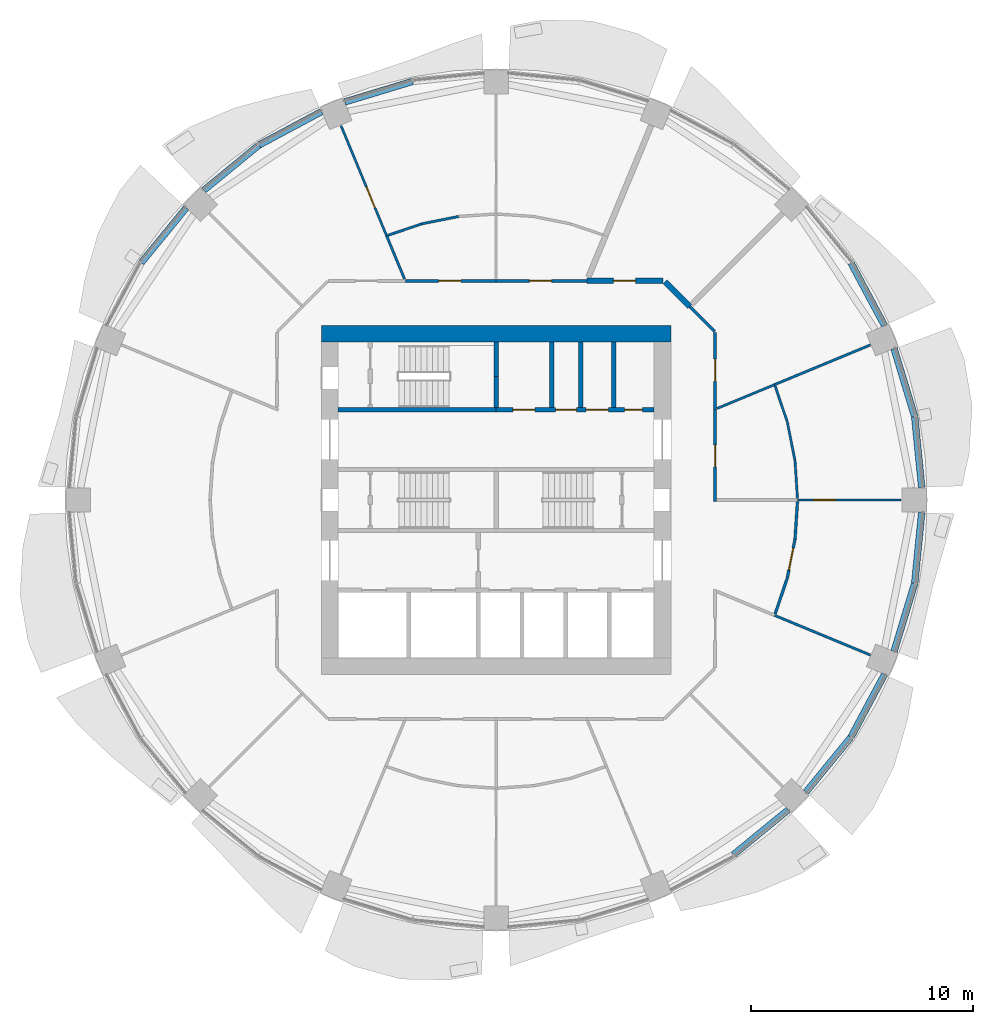
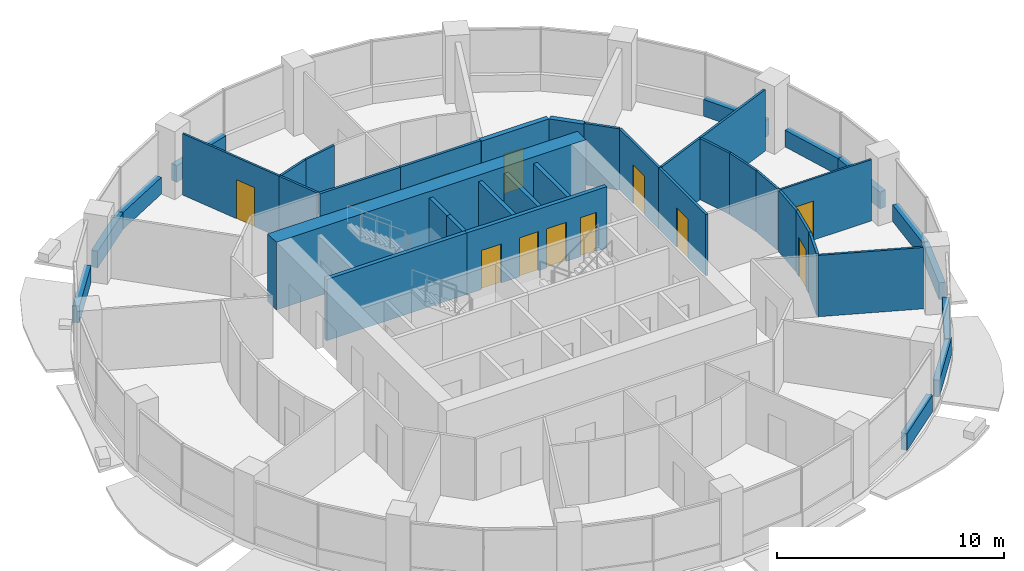
# One storey, part 10 of 15: 41 walls, 12 doors, 12 openings.
"""IFC4 building model written with IfcOpenShell, lengths in metres."""

from ifc_helpers import new_model, si_unit, direction, frame, frame_2d, origin, place, context, subcontext, project, spatial, rectangle, extrude, material, layer, layer_set, type_object, element, fill, save


model = new_model("IFC4")

# Units and contexts
model_context = context("Model", 3, precision=1e-05, world=origin(), true_north=direction((0.0, 1.0)))
body_context = subcontext(model_context, "Body", "Model", "MODEL_VIEW")
ifc_project = project(units=[si_unit("LENGTHUNIT", "METRE"), si_unit("AREAUNIT", "SQUARE_METRE"), si_unit("VOLUMEUNIT", "CUBIC_METRE"), si_unit("PLANEANGLEUNIT", "RADIAN"), si_unit("MASSUNIT", "GRAM", prefix="KILO")], contexts=[model_context])

# Site, building, storey
site_placement = place(None, origin())
site = spatial("IfcSite", under=ifc_project, at=site_placement, CompositionType="ELEMENT")
building_placement = place(site_placement, origin())
building = spatial("IfcBuilding", under=site, at=building_placement, Name="Polderwave Tower", CompositionType="ELEMENT")
storey_placement = place(building_placement, frame((0.0, 0.0, 76.39990234375)))
storey = spatial("IfcBuildingStorey", under=building, at=storey_placement, Name="L19", CompositionType="ELEMENT", Elevation=76.39990234375)

# Walls
ifc_material_1 = material(Name="Concrete C70/85", Category="concrete")
ifc_layer_1 = layer(ifc_material_1, 0.75)
ifc_layer_set_1 = layer_set([ifc_layer_1], Name="CORE WALL 750 C70/85")
wall_type_1 = type_object("IfcWallType", Name="CORE WALL 750 C70/85", PredefinedType="SHEAR", material=ifc_layer_set_1)
wall_1_placement = place(storey_placement, frame((-7.8740234375, 7.4990234375, 0.0), z_axis=(0.0, 0.0, 1.0), x_axis=(1.0, 0.0, 0.0)))
element("IfcWall", 1, at=wall_1_placement, inside=storey, type_object=wall_type_1, Name="ST-CORE-L19-N", PredefinedType="SHEAR", context=body_context, shape_type="SweptSolid", body=[
    extrude(rectangle(XDim=15.748046875, YDim=0.75, at=frame_2d((7.8740234375, 0.0))), origin(), (0.0, 0.0, 1.0), 3.650146484375),
])
ifc_material_2 = material(Name="Concrete C50/60 (board-marked)", Category="concrete")
ifc_layer_2 = layer(ifc_material_2, 0.300048828125)
ifc_layer_set_2 = layer_set([ifc_layer_2], Name="Concrete spandrel upstand C50/60")
wall_type_2 = type_object("IfcWallType", Name="Concrete spandrel upstand C50/60", PredefinedType="SOLIDWALL", material=ifc_layer_set_2)
wall_2_placement = place(storey_placement, frame((19.1845703125, 0.56396484375, 0.0), z_axis=(0.0, 0.0, 1.0), x_axis=(-0.098131861065, 0.995173420989, 0.0)))
element("IfcWall", 2, at=wall_2_placement, inside=storey, type_object=wall_type_2, Name="Spandrel L19 1a", PredefinedType="SOLIDWALL", context=body_context, shape_type="SweptSolid", body=[
    extrude(rectangle(XDim=3.189453125, YDim=0.300048828125, at=frame_2d((1.5947265625, 0.0))), origin(), (0.0, 0.0, 1.0), 0.900146484375),
])
wall_3_placement = place(storey_placement, frame((18.865478515625, 3.767333984375, 0.0), z_axis=(0.0, 0.0, 1.0), x_axis=(-0.290238876314, 0.956954228099, 0.0)))
element("IfcWall", 3, at=wall_3_placement, inside=storey, type_object=wall_type_2, Name="Spandrel L19 1b", PredefinedType="SOLIDWALL", context=body_context, shape_type="SweptSolid", body=[
    extrude(rectangle(XDim=3.190673828125, YDim=0.300048828125, at=frame_2d((1.59521484375, 0.0))), origin(), (0.0, 0.0, 1.0), 0.900146484375),
])
wall_4_placement = place(storey_placement, frame((17.5078125, 7.8623046875, 0.0), z_axis=(0.0, 0.0, 1.0), x_axis=(-0.471354692163, 0.8819437364, 0.0)))
element("IfcWall", 4, at=wall_4_placement, inside=storey, type_object=wall_type_2, Name="Spandrel L19 2a", PredefinedType="SOLIDWALL", context=body_context, shape_type="SweptSolid", body=[
    extrude(rectangle(XDim=3.190185546875, YDim=0.300048828125, at=frame_2d((1.59521484375, 0.0))), origin(), (0.0, 0.0, 1.0), 0.900146484375),
])
wall_5_placement = place(storey_placement, frame((-3.767333984375, 18.865478515625, 0.0), z_axis=(0.0, 0.0, 1.0), x_axis=(-0.956954228099, -0.290238876314, 0.0)))
element("IfcWall", 5, at=wall_5_placement, inside=storey, type_object=wall_type_2, Name="Spandrel L19 5b", PredefinedType="SOLIDWALL", context=body_context, shape_type="SweptSolid", body=[
    extrude(rectangle(XDim=3.190673828125, YDim=0.300048828125, at=frame_2d((1.59521484375, 0.0))), origin(), (0.0, 0.0, 1.0), 0.900146484375),
])
for number, where, z_axis, x_axis, name in (
    (6, (-7.8623046875, 17.5078125, 0.0), (0.0, 0.0, 1.0), (-0.8819437364, -0.471354692163, 0.0), "Spandrel L19 6a"),
    (7, (-10.70068359375, 15.987548828125, 0.0), (0.0, 0.0, 1.0), (-0.773240773387, -0.63411253447, 0.0), "Spandrel L19 6b"),
    (8, (-13.964599609375, 13.16748046875, 0.0), (0.0, 0.0, 1.0), (-0.63411253447, -0.773240773387, 0.0), "Spandrel L19 7a"),
    (9, (10.70068359375, -15.987548828125, 0.0), (0.0, 0.0, 1.0), (0.773240773387, 0.63411253447, 0.0), "Spandrel L19 14b"),
    (10, (13.964599609375, -13.16748046875, 0.0), (0.0, 0.0, 1.0), (0.63411253447, 0.773240773387, 0.0), "Spandrel L19 15a"),
    (11, (16.004150390625, -10.67578125, 0.0), (0.0, 0.0, 1.0), (0.471354692163, 0.8819437364, 0.0), "Spandrel L19 15b"),
):
    element("IfcWall", number, at=place(storey_placement, frame(where, z_axis=z_axis, x_axis=x_axis)), inside=storey, type_object=wall_type_2, Name=name, PredefinedType="SOLIDWALL", context=body_context, shape_type="SweptSolid", body=[
        extrude(rectangle(XDim=3.190185546875, YDim=0.300048828125, at=frame_2d((1.59521484375, 0.0))), origin(), (0.0, 0.0, 1.0), 0.900146484375),
    ])
wall_6_placement = place(storey_placement, frame((17.939453125, -6.820556640625, 0.0), z_axis=(0.0, 0.0, 1.0), x_axis=(0.290238876314, 0.956954228099, 0.0)))
element("IfcWall", 12, at=wall_6_placement, inside=storey, type_object=wall_type_2, Name="Spandrel L19 16a", PredefinedType="SOLIDWALL", context=body_context, shape_type="SweptSolid", body=[
    extrude(rectangle(XDim=3.190673828125, YDim=0.300048828125, at=frame_2d((1.59521484375, 0.0))), origin(), (0.0, 0.0, 1.0), 0.900146484375),
])
wall_7_placement = place(storey_placement, frame((18.87158203125, -3.738037109375, 0.0), z_axis=(0.0, 0.0, 1.0), x_axis=(0.098131861065, 0.995173420989, 0.0)))
element("IfcWall", 13, at=wall_7_placement, inside=storey, type_object=wall_type_2, Name="Spandrel L19 16b", PredefinedType="SOLIDWALL", context=body_context, shape_type="SweptSolid", body=[
    extrude(rectangle(XDim=3.189453125, YDim=0.300048828125, at=frame_2d((1.5947265625, 0.0))), origin(), (0.0, 0.0, 1.0), 0.900146484375),
])
ifc_material_3 = material(Name="Gypsum board partition")
ifc_layer_3 = layer(ifc_material_3, 0.199951171875)
ifc_layer_set_3 = layer_set([ifc_layer_3], Name="Core room partition 200")
wall_type_3 = type_object("IfcWallType", Name="Core room partition 200", PredefinedType="PARTITIONING", material=ifc_layer_set_3)
for number, where, z_axis, x_axis, name in (
    (14, (2.506591796875, 4.174072265625, 0.0), (0.0, 0.0, 1.0), (0.0, 1.0, 0.0), "L19 room partition N1"),
    (15, (3.813720703125, 4.174072265625, 0.0), (0.0, 0.0, 1.0), (0.0, 1.0, 0.0), "L19 room partition N2"),
):
    element("IfcWall", number, at=place(storey_placement, frame(where, z_axis=z_axis, x_axis=x_axis)), inside=storey, type_object=wall_type_3, Name=name, PredefinedType="PARTITIONING", context=body_context, shape_type="SweptSolid", body=[
        extrude(rectangle(XDim=2.949951171875, YDim=0.199951171875, at=frame_2d((1.47509765625, 0.0))), origin(), (0.0, 0.0, 1.0), 3.300048828125),
    ])
ifc_material_4 = material(Name="Concrete C50/60", Category="concrete")
ifc_layer_4 = layer(ifc_material_4, 0.199951171875)
ifc_layer_set_4 = layer_set([ifc_layer_4], Name="Core web wall 200")
wall_type_4 = type_object("IfcWallType", Name="Core web wall 200", PredefinedType="SHEAR", material=ifc_layer_set_4)
wall_8_placement = place(storey_placement, frame((-7.1240234375, 4.073974609375, 0.0), z_axis=(0.0, 0.0, 1.0), x_axis=(1.0, 0.0, 0.0)))
element("IfcWall", 16, at=wall_8_placement, inside=storey, type_object=wall_type_4, Name="L19 north front wall 1", PredefinedType="SHEAR", context=body_context, shape_type="SweptSolid", body=[
    extrude(rectangle(XDim=7.1240234375, YDim=0.199951171875, at=frame_2d((3.56201171875, 0.0))), origin(), (0.0, 0.0, 1.0), 3.300048828125),
])

# Wall, openings, doors
wall_9_placement = place(storey_placement, frame((0.0, 4.073974609375, 0.0), z_axis=(0.0, 0.0, 1.0), x_axis=(1.0, 0.0, 0.0)))
wall_9 = element("IfcWall", 17, at=wall_9_placement, inside=storey, type_object=wall_type_4, Name="L19 north front wall 2", PredefinedType="SHEAR", context=body_context, shape_type="SweptSolid", body=[
    extrude(rectangle(XDim=7.1240234375, YDim=0.199951171875, at=frame_2d((3.56201171875, 0.0))), origin(), (0.0, 0.0, 1.0), 3.300048828125),
])
opening_1_placement = place(wall_9_placement, frame((0.75341796875, 0.0, 0.0)))
opening_1 = element("IfcOpeningElement", 18, at=opening_1_placement, cuts=wall_9, Name="Opening L19-D14", PredefinedType="OPENING", context=body_context, shape_type="SweptSolid", body=[
    extrude(rectangle(XDim=1.0, YDim=2.10009765625, at=frame_2d((0.5, 1.050048828125))), frame((0.0, 0.10986328125, 0.0), z_axis=(0.0, -1.0, 0.0), x_axis=(1.0, 0.0, 0.0)), (0.0, 0.0, 1.0), 0.219970703125),
])
opening_2_placement = place(wall_9_placement, frame((2.685302734375, 0.0, 0.0)))
opening_2 = element("IfcOpeningElement", 19, at=opening_2_placement, cuts=wall_9, Name="Opening L19-D15", PredefinedType="OPENING", context=body_context, shape_type="SweptSolid", body=[
    extrude(rectangle(XDim=0.949951171875, YDim=2.10009765625, at=frame_2d((0.47509765625, 1.050048828125))), frame((0.0, 0.10986328125, 0.0), z_axis=(0.0, -1.0, 0.0), x_axis=(1.0, 0.0, 0.0)), (0.0, 0.0, 1.0), 0.219970703125),
])
opening_3_placement = place(wall_9_placement, frame((4.0595703125, 0.0, 0.0)))
opening_3 = element("IfcOpeningElement", 20, at=opening_3_placement, cuts=wall_9, Name="Opening L19-D16", PredefinedType="OPENING", context=body_context, shape_type="SweptSolid", body=[
    extrude(rectangle(XDim=1.0, YDim=2.10009765625, at=frame_2d((0.5, 1.050048828125))), frame((0.0, 0.10986328125, 0.0), z_axis=(0.0, -1.0, 0.0), x_axis=(1.0, 0.0, 0.0)), (0.0, 0.0, 1.0), 0.219970703125),
])
opening_4_placement = place(wall_9_placement, frame((5.789794921875, 0.0, 0.0)))
opening_4 = element("IfcOpeningElement", 21, at=opening_4_placement, cuts=wall_9, Name="Opening L19-D17", PredefinedType="OPENING", context=body_context, shape_type="SweptSolid", body=[
    extrude(rectangle(XDim=0.800048828125, YDim=2.10009765625, at=frame_2d((0.39990234375, 1.050048828125))), frame((0.0, 0.10986328125, 0.0), z_axis=(0.0, -1.0, 0.0), x_axis=(1.0, 0.0, 0.0)), (0.0, 0.0, 1.0), 0.219970703125),
])
ifc_material_5 = material(Name="Steel fire door", Category="steel")
door_type_1 = type_object("IfcDoorType", Name="Riser door 800", OperationType="NOTDEFINED", PredefinedType="DOOR", material=ifc_material_5)
door_1_placement = place(opening_4_placement, frame((0.800048828125, 0.0, 0.0), z_axis=(0.0, 0.0, 1.0), x_axis=(-1.0, 0.0, 0.0)))
door_1 = element("IfcDoor", 22, at=door_1_placement, inside=storey, type_object=door_type_1, Name="Riser door", OperationType="SINGLE_SWING_LEFT", OverallHeight=2.10009765625, OverallWidth=0.800048828125, PredefinedType="DOOR", context=body_context, shape_type="SweptSolid", body=[
    extrude(rectangle(XDim=0.800048828125, YDim=2.10009765625, at=frame_2d((0.39990234375, 1.050048828125))), frame((0.0, 0.02490234375, 0.0), z_axis=(0.0, -1.0, 0.0), x_axis=(1.0, 0.0, 0.0)), (0.0, 0.0, 1.0), 0.050048828125),
])
fill(opening_4, door_1)
ifc_material_6 = material(Name="Timber door leaf", Category="wood")
door_type_2 = type_object("IfcDoorType", Name="Room door 1000", OperationType="NOTDEFINED", PredefinedType="DOOR", material=ifc_material_6)
door_2_placement = place(opening_1_placement, origin())
door_2 = element("IfcDoor", 23, at=door_2_placement, inside=storey, type_object=door_type_2, Name="Seed store door", OperationType="SINGLE_SWING_LEFT", OverallHeight=2.10009765625, OverallWidth=1.0, PredefinedType="DOOR", context=body_context, shape_type="SweptSolid", body=[
    extrude(rectangle(XDim=1.0, YDim=2.10009765625, at=frame_2d((0.5, 1.050048828125))), frame((0.0, 0.02490234375, 0.0), z_axis=(0.0, -1.0, 0.0), x_axis=(1.0, 0.0, 0.0)), (0.0, 0.0, 1.0), 0.050048828125),
])
fill(opening_1, door_2)
door_3_placement = place(opening_3_placement, origin())
door_3 = element("IfcDoor", 24, at=door_3_placement, inside=storey, type_object=door_type_2, Name="Staff WC door", OperationType="SINGLE_SWING_RIGHT", OverallHeight=2.10009765625, OverallWidth=1.0, PredefinedType="DOOR", context=body_context, shape_type="SweptSolid", body=[
    extrude(rectangle(XDim=1.0, YDim=2.10009765625, at=frame_2d((0.5, 1.050048828125))), frame((0.0, 0.02490234375, 0.0), z_axis=(0.0, -1.0, 0.0), x_axis=(1.0, 0.0, 0.0)), (0.0, 0.0, 1.0), 0.050048828125),
])
fill(opening_3, door_3)
door_type_3 = type_object("IfcDoorType", Name="Room door 950", OperationType="NOTDEFINED", PredefinedType="DOOR", material=ifc_material_6)
door_4_placement = place(opening_2_placement, origin())
door_4 = element("IfcDoor", 25, at=door_4_placement, inside=storey, type_object=door_type_3, Name="Cleaner's store door", OperationType="SINGLE_SWING_LEFT", OverallHeight=2.10009765625, OverallWidth=0.949951171875, PredefinedType="DOOR", context=body_context, shape_type="SweptSolid", body=[
    extrude(rectangle(XDim=0.949951171875, YDim=2.10009765625, at=frame_2d((0.47509765625, 1.050048828125))), frame((0.0, 0.02490234375, 0.0), z_axis=(0.0, -1.0, 0.0), x_axis=(1.0, 0.0, 0.0)), (0.0, 0.0, 1.0), 0.050048828125),
])
fill(opening_2, door_4)

# Walls
wall_10_placement = place(storey_placement, frame((0.0, 4.174072265625, 0.0), z_axis=(0.0, 0.0, 1.0), x_axis=(0.0, 1.0, 0.0)))
element("IfcWall", 26, at=wall_10_placement, inside=storey, type_object=wall_type_4, Name="L19 stair C wall south", PredefinedType="SHEAR", context=body_context, shape_type="SweptSolid", body=[
    extrude(rectangle(XDim=1.39990234375, YDim=0.199951171875, at=frame_2d((0.699951171875, 0.0))), origin(), (0.0, 0.0, 1.0), 3.300048828125),
])
wall_11_placement = place(storey_placement, frame((0.0, 5.573974609375, 0.0), z_axis=(0.0, 0.0, 1.0), x_axis=(0.0, 1.0, 0.0)))
element("IfcWall", 27, at=wall_11_placement, inside=storey, type_object=wall_type_4, Name="L19 stair C wall north", PredefinedType="SHEAR", context=body_context, shape_type="SweptSolid", body=[
    extrude(rectangle(XDim=1.550048828125, YDim=0.199951171875, at=frame_2d((0.77490234375, 0.0))), origin(), (0.0, 0.0, 1.0), 3.300048828125),
])

# Wall, opening, door
ifc_material_7 = material(Name="Fire-resisting board on steel studs", Category="steel")
ifc_layer_5 = layer(ifc_material_7, 0.125)
ifc_layer_set_5 = layer_set([ifc_layer_5], Name="Corridor wall 125 mm EI 60")
wall_type_5 = type_object("IfcWallType", Name="Corridor wall 125 mm EI 60", PredefinedType="PARTITIONING", material=ifc_layer_set_5)
wall_12_placement = place(storey_placement, frame((9.8740234375, 4.08984375, 0.0), z_axis=(0.0, 0.0, 1.0), x_axis=(0.0, -1.0, 0.0)))
wall_12 = element("IfcWall", 28, at=wall_12_placement, inside=storey, type_object=wall_type_5, Name="IN-L19-W001", PredefinedType="PARTITIONING", context=body_context, shape_type="SweptSolid", body=[
    extrude(rectangle(XDim=4.15234375, YDim=0.125, at=frame_2d((2.076171875, 0.0))), origin(), (0.0, 0.0, 1.0), 3.300048828125),
])
opening_5_placement = place(wall_12_placement, frame((1.60009765625, 0.0, 0.0)))
opening_5 = element("IfcOpeningElement", 29, at=opening_5_placement, cuts=wall_12, Name="Opening L19-D50", PredefinedType="OPENING", context=body_context, shape_type="SweptSolid", body=[
    extrude(rectangle(XDim=1.0, YDim=2.10009765625, at=frame_2d((0.5, 1.050048828125))), frame((0.0, 0.072509765625, 0.0), z_axis=(0.0, -1.0, 0.0), x_axis=(1.0, 0.0, 0.0)), (0.0, 0.0, 1.0), 0.14501953125),
])
ifc_material_8 = material(Name="Timber fire door leaf", Category="wood")
door_type_4 = type_object("IfcDoorType", Name="Fire door FD30S 1000 x 2100", OperationType="NOTDEFINED", PredefinedType="DOOR", material=ifc_material_8)
door_5_placement = place(opening_5_placement, origin())
door_5 = element("IfcDoor", 30, at=door_5_placement, inside=storey, type_object=door_type_4, Name="Door L19-D50", OperationType="SINGLE_SWING_RIGHT", OverallHeight=2.10009765625, OverallWidth=1.0, PredefinedType="DOOR", context=body_context, shape_type="SweptSolid", body=[
    extrude(rectangle(XDim=1.0, YDim=2.10009765625, at=frame_2d((0.5, 1.050048828125))), frame((0.0, 0.02490234375, 0.0), z_axis=(0.0, -1.0, 0.0), x_axis=(1.0, 0.0, 0.0)), (0.0, 0.0, 1.0), 0.050048828125),
])
fill(opening_5, door_5)

# Wall
wall_13_placement = place(storey_placement, frame((8.722412109375, 8.722412109375, 0.0), z_axis=(0.0, 0.0, 1.0), x_axis=(0.70718294931, -0.707030604857, 0.0)))
element("IfcWall", 31, at=wall_13_placement, inside=storey, type_object=wall_type_5, Name="IN-L19-W002", PredefinedType="PARTITIONING", context=body_context, shape_type="SweptSolid", body=[
    extrude(rectangle(XDim=1.6025390625, YDim=0.125, at=frame_2d((0.80126953125, 0.0))), origin(), (0.0, 0.0, 1.0), 3.300048828125),
])

# Wall, opening, door
wall_14_placement = place(storey_placement, frame((9.8740234375, 7.545166015625, 0.0), z_axis=(0.0, 0.0, 1.0), x_axis=(0.0, -1.0, 0.0)))
wall_14 = element("IfcWall", 32, at=wall_14_placement, inside=storey, type_object=wall_type_5, Name="IN-L19-W003", PredefinedType="PARTITIONING", context=body_context, shape_type="SweptSolid", body=[
    extrude(rectangle(XDim=3.455322265625, YDim=0.125, at=frame_2d((1.7275390625, 0.0))), origin(), (0.0, 0.0, 1.0), 3.300048828125),
])
opening_6_placement = place(wall_14_placement, frame((1.199951171875, 0.0, 0.0)))
opening_6 = element("IfcOpeningElement", 33, at=opening_6_placement, cuts=wall_14, Name="Opening L19-D51", PredefinedType="OPENING", context=body_context, shape_type="SweptSolid", body=[
    extrude(rectangle(XDim=1.0, YDim=2.10009765625, at=frame_2d((0.5, 1.050048828125))), frame((0.0, 0.072509765625, 0.0), z_axis=(0.0, -1.0, 0.0), x_axis=(1.0, 0.0, 0.0)), (0.0, 0.0, 1.0), 0.14501953125),
])
door_6_placement = place(opening_6_placement, origin())
door_6 = element("IfcDoor", 34, at=door_6_placement, inside=storey, type_object=door_type_4, Name="Door L19-D51", OperationType="SINGLE_SWING_LEFT", OverallHeight=2.10009765625, OverallWidth=1.0, PredefinedType="DOOR", context=body_context, shape_type="SweptSolid", body=[
    extrude(rectangle(XDim=1.0, YDim=2.10009765625, at=frame_2d((0.5, 1.050048828125))), frame((0.0, 0.02490234375, 0.0), z_axis=(0.0, -1.0, 0.0), x_axis=(1.0, 0.0, 0.0)), (0.0, 0.0, 1.0), 0.050048828125),
])
fill(opening_6, door_6)

wall_15_placement = place(storey_placement, frame((0.0, 9.8740234375, 0.0), z_axis=(0.0, 0.0, 1.0), x_axis=(1.0, 0.0, 0.0)))
wall_15 = element("IfcWall", 35, at=wall_15_placement, inside=storey, type_object=wall_type_5, Name="IN-L19-W008", PredefinedType="PARTITIONING", context=body_context, shape_type="SweptSolid", body=[
    extrude(rectangle(XDim=4.08984375, YDim=0.125, at=frame_2d((2.044921875, 0.0))), origin(), (0.0, 0.0, 1.0), 3.300048828125),
])
opening_7_placement = place(wall_15_placement, frame((1.5, 0.0, 0.0)))
opening_7 = element("IfcOpeningElement", 36, at=opening_7_placement, cuts=wall_15, Name="Opening L19-D54", PredefinedType="OPENING", context=body_context, shape_type="SweptSolid", body=[
    extrude(rectangle(XDim=1.0, YDim=2.10009765625, at=frame_2d((0.5, 1.050048828125))), frame((0.0, 0.072509765625, 0.0), z_axis=(0.0, -1.0, 0.0), x_axis=(1.0, 0.0, 0.0)), (0.0, 0.0, 1.0), 0.14501953125),
])
door_7_placement = place(opening_7_placement, origin())
door_7 = element("IfcDoor", 37, at=door_7_placement, inside=storey, type_object=door_type_4, Name="Door L19-D54", OperationType="SINGLE_SWING_LEFT", OverallHeight=2.10009765625, OverallWidth=1.0, PredefinedType="DOOR", context=body_context, shape_type="SweptSolid", body=[
    extrude(rectangle(XDim=1.0, YDim=2.10009765625, at=frame_2d((0.5, 1.050048828125))), frame((0.0, 0.02490234375, 0.0), z_axis=(0.0, -1.0, 0.0), x_axis=(1.0, 0.0, 0.0)), (0.0, 0.0, 1.0), 0.050048828125),
])
fill(opening_7, door_7)

wall_16_placement = place(storey_placement, frame((-4.08984375, 9.8740234375, 0.0), z_axis=(0.0, 0.0, 1.0), x_axis=(1.0, 0.0, 0.0)))
wall_16 = element("IfcWall", 38, at=wall_16_placement, inside=storey, type_object=wall_type_5, Name="IN-L19-W009", PredefinedType="PARTITIONING", context=body_context, shape_type="SweptSolid", body=[
    extrude(rectangle(XDim=4.08984375, YDim=0.125, at=frame_2d((2.044921875, 0.0))), origin(), (0.0, 0.0, 1.0), 3.300048828125),
])
opening_8_placement = place(wall_16_placement, frame((1.5, 0.0, 0.0)))
opening_8 = element("IfcOpeningElement", 39, at=opening_8_placement, cuts=wall_16, Name="Opening L19-D55", PredefinedType="OPENING", context=body_context, shape_type="SweptSolid", body=[
    extrude(rectangle(XDim=1.0, YDim=2.10009765625, at=frame_2d((0.5, 1.050048828125))), frame((0.0, 0.072509765625, 0.0), z_axis=(0.0, -1.0, 0.0), x_axis=(1.0, 0.0, 0.0)), (0.0, 0.0, 1.0), 0.14501953125),
])
door_8_placement = place(opening_8_placement, origin())
door_8 = element("IfcDoor", 40, at=door_8_placement, inside=storey, type_object=door_type_4, Name="Door L19-D55", OperationType="SINGLE_SWING_LEFT", OverallHeight=2.10009765625, OverallWidth=1.0, PredefinedType="DOOR", context=body_context, shape_type="SweptSolid", body=[
    extrude(rectangle(XDim=1.0, YDim=2.10009765625, at=frame_2d((0.5, 1.050048828125))), frame((0.0, 0.02490234375, 0.0), z_axis=(0.0, -1.0, 0.0), x_axis=(1.0, 0.0, 0.0)), (0.0, 0.0, 1.0), 0.050048828125),
])
fill(opening_8, door_8)

# Wall
wall_17_placement = place(storey_placement, frame((13.12548828125, -3.521240234375, 0.0), z_axis=(0.0, 0.0, 1.0), x_axis=(-0.321415455279, -0.946938279461, 0.0)))
element("IfcWall", 41, at=wall_17_placement, inside=storey, type_object=wall_type_5, Name="IN-L19-W069", PredefinedType="PARTITIONING", context=body_context, shape_type="SweptSolid", body=[
    extrude(rectangle(XDim=1.706787109375, YDim=0.125, at=frame_2d((0.853515625, 0.0))), origin(), (0.0, 0.0, 1.0), 3.300048828125),
])

# Wall, opening, door
wall_18_placement = place(storey_placement, frame((13.472900390625, -1.77783203125, 0.0), z_axis=(0.0, 0.0, 1.0), x_axis=(-0.195081294896, -0.980787075966, 0.0)))
wall_18 = element("IfcWall", 42, at=wall_18_placement, inside=storey, type_object=wall_type_5, Name="IN-L19-W070", PredefinedType="PARTITIONING", context=body_context, shape_type="SweptSolid", body=[
    extrude(rectangle(XDim=1.76953125, YDim=0.125, at=frame_2d((0.884765625, 0.0))), origin(), (0.0, 0.0, 1.0), 3.300048828125),
])
opening_9_placement = place(wall_18_placement, frame((0.39990234375, 0.0, 0.0)))
opening_9 = element("IfcOpeningElement", 43, at=opening_9_placement, cuts=wall_18, Name="Opening L19-D69", PredefinedType="OPENING", context=body_context, shape_type="SweptSolid", body=[
    extrude(rectangle(XDim=1.0, YDim=2.10009765625, at=frame_2d((0.5, 1.050048828125))), frame((0.0, 0.072509765625, 0.0), z_axis=(0.0, -1.0, 0.0), x_axis=(1.0, 0.0, 0.0)), (0.0, 0.0, 1.0), 0.14501953125),
])
door_9_placement = place(opening_9_placement, origin())
door_9 = element("IfcDoor", 44, at=door_9_placement, inside=storey, type_object=door_type_4, Name="Door L19-D69", OperationType="SINGLE_SWING_RIGHT", OverallHeight=2.10009765625, OverallWidth=1.0, PredefinedType="DOOR", context=body_context, shape_type="SweptSolid", body=[
    extrude(rectangle(XDim=1.0, YDim=2.10009765625, at=frame_2d((0.5, 1.050048828125))), frame((0.0, 0.02490234375, 0.0), z_axis=(0.0, -1.0, 0.0), x_axis=(1.0, 0.0, 0.0)), (0.0, 0.0, 1.0), 0.050048828125),
])
fill(opening_9, door_9)

# Wall
wall_19_placement = place(storey_placement, frame((13.585693359375, -0.066650390625, 0.0), z_axis=(0.0, 0.0, 1.0), x_axis=(-0.06537019983, -0.997861081, 0.0)))
element("IfcWall", 45, at=wall_19_placement, inside=storey, type_object=wall_type_5, Name="IN-L19-W071", PredefinedType="PARTITIONING", context=body_context, shape_type="SweptSolid", body=[
    extrude(rectangle(XDim=1.706787109375, YDim=0.125, at=frame_2d((0.853515625, 0.0))), origin(), (0.0, 0.0, 1.0), 3.300048828125),
])

# Wall, opening, door
ifc_material_9 = material(Name="Plasterboard on steel studs", Category="steel")
ifc_layer_6 = layer(ifc_material_9, 0.10009765625)
ifc_layer_set_6 = layer_set([ifc_layer_6], Name="Partition 100 mm plasterboard on steel studs")
wall_type_6 = type_object("IfcWallType", Name="Partition 100 mm plasterboard on steel studs", PredefinedType="PARTITIONING", material=ifc_layer_set_6)
wall_20_placement = place(storey_placement, frame((13.590087890625, 0.0, 0.0), z_axis=(0.0, 0.0, 1.0), x_axis=(1.0, 0.0, 0.0)))
wall_20 = element("IfcWall", 46, at=wall_20_placement, inside=storey, type_object=wall_type_6, Name="IN-L19-W028", PredefinedType="PARTITIONING", context=body_context, shape_type="SweptSolid", body=[
    extrude(rectangle(XDim=4.669921875, YDim=0.10009765625, at=frame_2d((2.3349609375, 0.0))), origin(), (0.0, 0.0, 1.0), 3.300048828125),
])
opening_10_placement = place(wall_20_placement, frame((0.699951171875, 0.0, 0.0)))
opening_10 = element("IfcOpeningElement", 47, at=opening_10_placement, cuts=wall_20, Name="Opening L19-D63", PredefinedType="OPENING", context=body_context, shape_type="SweptSolid", body=[
    extrude(rectangle(XDim=1.0, YDim=2.10009765625, at=frame_2d((0.5, 1.050048828125))), frame((0.0, 0.06005859375, 0.0), z_axis=(0.0, -1.0, 0.0), x_axis=(1.0, 0.0, 0.0)), (0.0, 0.0, 1.0), 0.1201171875),
])
ifc_material_10 = material(Name="Timber veneer door leaf", Category="wood")
door_type_5 = type_object("IfcDoorType", Name="Single door 1000 x 2100", OperationType="NOTDEFINED", PredefinedType="DOOR", material=ifc_material_10)
door_10_placement = place(opening_10_placement, origin())
door_10 = element("IfcDoor", 48, at=door_10_placement, inside=storey, type_object=door_type_5, Name="Door L19-D63", OperationType="SINGLE_SWING_LEFT", OverallHeight=2.10009765625, OverallWidth=1.0, PredefinedType="DOOR", context=body_context, shape_type="SweptSolid", body=[
    extrude(rectangle(XDim=1.0, YDim=2.10009765625, at=frame_2d((0.5, 1.050048828125))), frame((0.0, 0.02490234375, 0.0), z_axis=(0.0, -1.0, 0.0), x_axis=(1.0, 0.0, 0.0)), (0.0, 0.0, 1.0), 0.050048828125),
])
fill(opening_10, door_10)

wall_21_placement = place(storey_placement, frame((-6.98779296875, 16.8701171875, 0.0), z_axis=(0.0, 0.0, 1.0), x_axis=(0.382658286204, -0.923889947991, 0.0)))
wall_21 = element("IfcWall", 49, at=wall_21_placement, inside=storey, type_object=wall_type_6, Name="IN-L19-W041", PredefinedType="PARTITIONING", context=body_context, shape_type="SweptSolid", body=[
    extrude(rectangle(XDim=5.3701171875, YDim=0.10009765625, at=frame_2d((2.68505859375, 0.0))), origin(), (0.0, 0.0, 1.0), 3.300048828125),
])
opening_11_placement = place(wall_21_placement, frame((3.0, 0.0, 0.0)))
opening_11 = element("IfcOpeningElement", 50, at=opening_11_placement, cuts=wall_21, Name="Opening L19-D65", PredefinedType="OPENING", context=body_context, shape_type="SweptSolid", body=[
    extrude(rectangle(XDim=1.0, YDim=2.10009765625, at=frame_2d((0.5, 1.050048828125))), frame((0.0, 0.06005859375, 0.0), z_axis=(0.0, -1.0, 0.0), x_axis=(1.0, 0.0, 0.0)), (0.0, 0.0, 1.0), 0.1201171875),
])
door_11_placement = place(opening_11_placement, origin())
door_11 = element("IfcDoor", 51, at=door_11_placement, inside=storey, type_object=door_type_5, Name="Door L19-D65", OperationType="SINGLE_SWING_RIGHT", OverallHeight=2.10009765625, OverallWidth=1.0, PredefinedType="DOOR", context=body_context, shape_type="SweptSolid", body=[
    extrude(rectangle(XDim=1.0, YDim=2.10009765625, at=frame_2d((0.5, 1.050048828125))), frame((0.0, 0.02490234375, 0.0), z_axis=(0.0, -1.0, 0.0), x_axis=(1.0, 0.0, 0.0)), (0.0, 0.0, 1.0), 0.050048828125),
])
fill(opening_11, door_11)

# Walls
ifc_material_11 = material(Name="Moisture-resistant board on steel studs, tiled", Category="steel")
ifc_layer_7 = layer(ifc_material_11, 0.10498046875)
ifc_layer_set_7 = layer_set([ifc_layer_7], Name="Partition 105 mm wet room board and tile")
wall_type_7 = type_object("IfcWallType", Name="Partition 105 mm wet room board and tile", PredefinedType="PARTITIONING", material=ifc_layer_set_7)
wall_22_placement = place(storey_placement, frame((12.57421875, 5.145263671875, 0.0), z_axis=(0.0, 0.0, 1.0), x_axis=(0.32147409201, -0.946918374606, 0.0)))
element("IfcWall", 52, at=wall_22_placement, inside=storey, type_object=wall_type_7, Name="IN-L19-W022", PredefinedType="PARTITIONING", context=body_context, shape_type="SweptSolid", body=[
    extrude(rectangle(XDim=1.715576171875, YDim=0.10498046875, at=frame_2d((0.85791015625, 0.0))), origin(), (0.0, 0.0, 1.0), 3.300048828125),
])
wall_23_placement = place(storey_placement, frame((13.127685546875, 3.513916015625, 0.0), z_axis=(0.0, 0.0, 1.0), x_axis=(0.194975762397, -0.980808060773, 0.0)))
element("IfcWall", 53, at=wall_23_placement, inside=storey, type_object=wall_type_7, Name="IN-L19-W023", PredefinedType="PARTITIONING", context=body_context, shape_type="SweptSolid", body=[
    extrude(rectangle(XDim=1.7705078125, YDim=0.10498046875, at=frame_2d((0.88525390625, 0.0))), origin(), (0.0, 0.0, 1.0), 3.300048828125),
])
wall_24_placement = place(storey_placement, frame((13.473876953125, 1.7705078125, 0.0), z_axis=(0.0, 0.0, 1.0), x_axis=(0.065456571456, -0.997855419013, 0.0)))
element("IfcWall", 54, at=wall_24_placement, inside=storey, type_object=wall_type_7, Name="IN-L19-W024", PredefinedType="PARTITIONING", context=body_context, shape_type="SweptSolid", body=[
    extrude(rectangle(XDim=1.708251953125, YDim=0.10498046875, at=frame_2d((0.85400390625, 0.0))), origin(), (0.0, 0.0, 1.0), 3.300048828125),
])
wall_25_placement = place(storey_placement, frame((9.95654296875, 4.1240234375, 0.0), z_axis=(0.0, 0.0, 1.0), x_axis=(0.923858155589, 0.382735036745, 0.0)))
element("IfcWall", 55, at=wall_25_placement, inside=storey, type_object=wall_type_7, Name="IN-L19-W025", PredefinedType="PARTITIONING", context=body_context, shape_type="SweptSolid", body=[
    extrude(rectangle(XDim=2.81298828125, YDim=0.10498046875, at=frame_2d((1.406494140625, 0.0))), origin(), (0.0, 0.0, 1.0), 3.300048828125),
])
ifc_material_12 = material(Name="Acoustic double plasterboard on steel studs", Category="steel")
ifc_layer_8 = layer(ifc_material_12, 0.110107421875)
ifc_layer_set_8 = layer_set([ifc_layer_8], Name="Partition 110 mm acoustic double board")
wall_type_8 = type_object("IfcWallType", Name="Partition 110 mm acoustic double board", PredefinedType="PARTITIONING", material=ifc_layer_set_8)
wall_26_placement = place(storey_placement, frame((12.555419921875, 5.20068359375, 0.0), z_axis=(0.0, 0.0, 1.0), x_axis=(0.923886856779, 0.38266574954, 0.0)))
element("IfcWall", 56, at=wall_26_placement, inside=storey, type_object=wall_type_8, Name="IN-L19-W027", PredefinedType="PARTITIONING", context=body_context, shape_type="SweptSolid", body=[
    extrude(rectangle(XDim=4.670166015625, YDim=0.110107421875, at=frame_2d((2.3349609375, 0.0))), origin(), (0.0, 0.0, 1.0), 3.300048828125),
])
wall_27_placement = place(storey_placement, frame((-4.877197265625, 11.927734375, 0.0), z_axis=(0.0, 0.0, 1.0), x_axis=(0.946924771347, 0.321455249466, 0.0)))
element("IfcWall", 57, at=wall_27_placement, inside=storey, type_object=wall_type_8, Name="IN-L19-W037", PredefinedType="PARTITIONING", context=body_context, shape_type="SweptSolid", body=[
    extrude(rectangle(XDim=1.623779296875, YDim=0.110107421875, at=frame_2d((0.81201171875, 0.0))), origin(), (0.0, 0.0, 1.0), 3.300048828125),
])
wall_28_placement = place(storey_placement, frame((-3.332763671875, 12.451416015625, 0.0), z_axis=(0.0, 0.0, 1.0), x_axis=(0.980775928605, 0.195137330791, 0.0)))
element("IfcWall", 58, at=wall_28_placement, inside=storey, type_object=wall_type_8, Name="IN-L19-W038", PredefinedType="PARTITIONING", context=body_context, shape_type="SweptSolid", body=[
    extrude(rectangle(XDim=1.678955078125, YDim=0.110107421875, at=frame_2d((0.83935546875, 0.0))), origin(), (0.0, 0.0, 1.0), 3.300048828125),
])
wall_29_placement = place(storey_placement, frame((-4.12451171875, 9.95751953125, 0.0), z_axis=(0.0, 0.0, 1.0), x_axis=(-0.382743146737, 0.923854795748, 0.0)))
element("IfcWall", 59, at=wall_29_placement, inside=storey, type_object=wall_type_8, Name="IN-L19-W040", PredefinedType="PARTITIONING", context=body_context, shape_type="SweptSolid", body=[
    extrude(rectangle(XDim=2.112060546875, YDim=0.110107421875, at=frame_2d((1.05615234375, 0.0))), origin(), (0.0, 0.0, 1.0), 3.300048828125),
])
wall_30_placement = place(storey_placement, frame((12.555419921875, -5.20068359375, 0.0), z_axis=(0.0, 0.0, 1.0), x_axis=(0.923886856779, -0.38266574954, 0.0)))
element("IfcWall", 60, at=wall_30_placement, inside=storey, type_object=wall_type_8, Name="IN-L19-W068", PredefinedType="PARTITIONING", context=body_context, shape_type="SweptSolid", body=[
    extrude(rectangle(XDim=4.670166015625, YDim=0.110107421875, at=frame_2d((2.3349609375, 0.0))), origin(), (0.0, 0.0, 1.0), 3.300048828125),
])

# Wall, opening, door
ifc_material_13 = material(Name="Fire-resisting board on steel studs, mineral wool", Category="steel")
ifc_layer_9 = layer(ifc_material_13, 0.25)
ifc_layer_set_9 = layer_set([ifc_layer_9], Name="Plant room wall 250 mm EI 120")
wall_type_9 = type_object("IfcWallType", Name="Plant room wall 250 mm EI 120", PredefinedType="PARTITIONING", material=ifc_layer_set_9)
wall_31_placement = place(storey_placement, frame((4.08984375, 9.8740234375, 0.0), z_axis=(0.0, 0.0, 1.0), x_axis=(1.0, 0.0, 0.0)))
wall_31 = element("IfcWall", 61, at=wall_31_placement, inside=storey, type_object=wall_type_9, Name="IN-L19-W006", PredefinedType="PARTITIONING", context=body_context, shape_type="SweptSolid", body=[
    extrude(rectangle(XDim=3.429443359375, YDim=0.25, at=frame_2d((1.71484375, 0.0))), origin(), (0.0, 0.0, 1.0), 3.300048828125),
])
opening_12_placement = place(wall_31_placement, frame((1.199951171875, 0.0, 0.0)))
opening_12 = element("IfcOpeningElement", 62, at=opening_12_placement, cuts=wall_31, Name="Opening L19-D53", PredefinedType="OPENING", context=body_context, shape_type="SweptSolid", body=[
    extrude(rectangle(XDim=1.0, YDim=2.10009765625, at=frame_2d((0.5, 1.050048828125))), frame((0.0, 0.135009765625, 0.0), z_axis=(0.0, -1.0, 0.0), x_axis=(1.0, 0.0, 0.0)), (0.0, 0.0, 1.0), 0.27001953125),
])
ifc_material_14 = material(Name="Steel plant door leaf", Category="steel")
door_type_6 = type_object("IfcDoorType", Name="Plant door FD60 1000 x 2100 steel", OperationType="NOTDEFINED", PredefinedType="DOOR", material=ifc_material_14)
door_12_placement = place(opening_12_placement, origin())
door_12 = element("IfcDoor", 63, at=door_12_placement, inside=storey, type_object=door_type_6, Name="Door L19-D53", OperationType="SINGLE_SWING_LEFT", OverallHeight=2.10009765625, OverallWidth=1.0, PredefinedType="DOOR", context=body_context, shape_type="SweptSolid", body=[
    extrude(rectangle(XDim=1.0, YDim=2.10009765625, at=frame_2d((0.5, 1.050048828125))), frame((0.0, 0.02490234375, 0.0), z_axis=(0.0, -1.0, 0.0), x_axis=(1.0, 0.0, 0.0)), (0.0, 0.0, 1.0), 0.050048828125),
])
fill(opening_12, door_12)

# Walls
wall_32_placement = place(storey_placement, frame((7.607666015625, 9.83740234375, 0.0), z_axis=(0.0, 0.0, 1.0), x_axis=(0.707029353672, -0.707184200224, 0.0)))
element("IfcWall", 64, at=wall_32_placement, inside=storey, type_object=wall_type_9, Name="IN-L19-W007", PredefinedType="PARTITIONING", context=body_context, shape_type="SweptSolid", body=[
    extrude(rectangle(XDim=1.57666015625, YDim=0.25, at=frame_2d((0.788330078125, 0.0))), origin(), (0.0, 0.0, 1.0), 3.300048828125),
])
ifc_material_15 = material(Name="Gypsum shaft wall system")
ifc_layer_10 = layer(ifc_material_15, 0.199951171875)
ifc_layer_set_10 = layer_set([ifc_layer_10], Name="Shaft wall 200")
wall_type_10 = type_object("IfcWallType", Name="Shaft wall 200", PredefinedType="PARTITIONING", material=ifc_layer_set_10)
wall_33_placement = place(storey_placement, frame((5.305419921875, 4.174072265625, 0.0), z_axis=(0.0, 0.0, 1.0), x_axis=(0.0, 1.0, 0.0)))
element("IfcWall", 65, at=wall_33_placement, inside=storey, type_object=wall_type_10, Name="L19 riser wall", PredefinedType="PARTITIONING", context=body_context, shape_type="SweptSolid", body=[
    extrude(rectangle(XDim=2.949951171875, YDim=0.199951171875, at=frame_2d((1.47509765625, 0.0))), origin(), (0.0, 0.0, 1.0), 3.300048828125),
])

save(model, "model.ifc")
